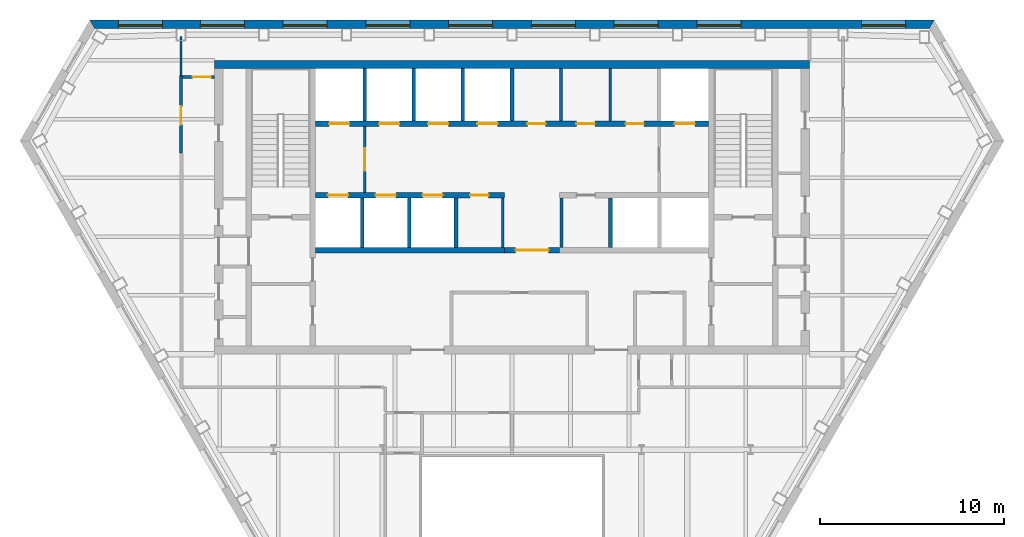
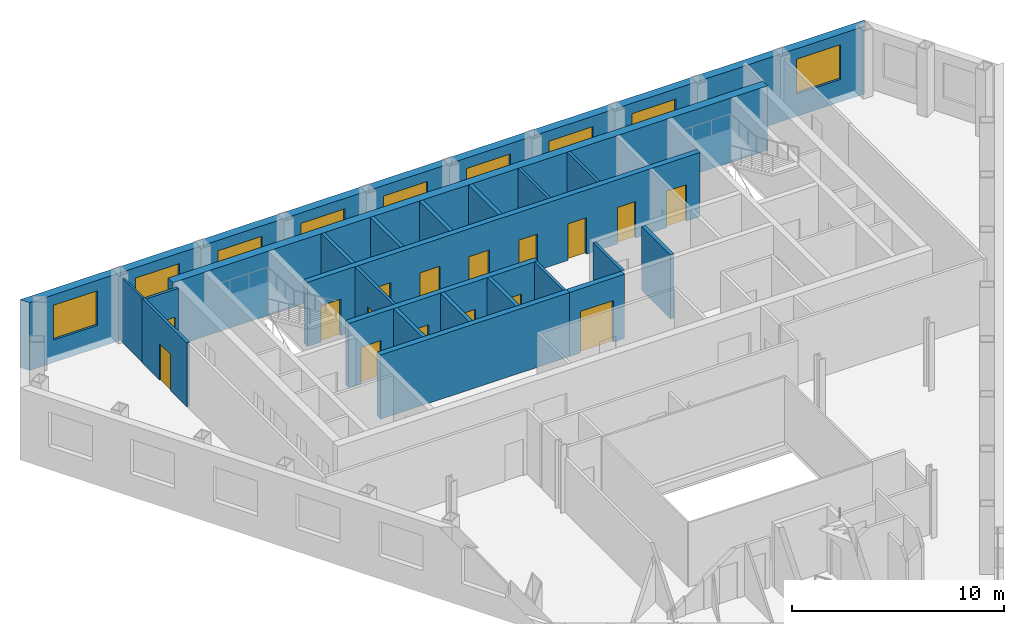
# One storey, part 6 of 10: 22 walls, 16 doors, 9 windows, 25 openings.
"""IFC4 building model written with IfcOpenShell, lengths in metres."""

from ifc_helpers import new_model, si_unit, direction, frame, frame_2d, origin, place, context, subcontext, project, spatial, polyline, rectangle, outline, extrude, material, layer, layer_set, type_object, element, fill, save


model = new_model("IFC4")

# Units and contexts
model_context = context("Model", 3, precision=1e-05, world=origin(), true_north=direction((0.0, 1.0)))
body_context = subcontext(model_context, "Body", "Model", "MODEL_VIEW")
ifc_project = project(units=[si_unit("LENGTHUNIT", "METRE"), si_unit("AREAUNIT", "SQUARE_METRE"), si_unit("VOLUMEUNIT", "CUBIC_METRE"), si_unit("PLANEANGLEUNIT", "RADIAN"), si_unit("MASSUNIT", "GRAM", prefix="KILO")], contexts=[model_context])

# Site, building, storey
site_placement = place(None, origin())
site = spatial("IfcSite", under=ifc_project, at=site_placement, CompositionType="ELEMENT")
building_placement = place(site_placement, origin())
building = spatial("IfcBuilding", under=site, at=building_placement, Name="Njiva Tower", CompositionType="ELEMENT")
storey_placement = place(building_placement, frame((0.0, 0.0, 200.4)))
storey = spatial("IfcBuildingStorey", under=building, at=storey_placement, Name="L44", CompositionType="ELEMENT", Elevation=200.4)

# Walls
ifc_material_1 = material(Name="Blockwork", Category="masonry")
ifc_layer_1 = layer(ifc_material_1, 0.15)
ifc_layer_set_1 = layer_set([ifc_layer_1], Name="Blockwork")
wall_type_1 = type_object("IfcWallType", Name="WT1 Compartment partition 150", PredefinedType="PARTITIONING", material=ifc_layer_set_1)
for number, where, z_axis, x_axis, name in (
    (1, (2.675, 14.7, 0.0), (0.0, 0.0, 1.0), (0.0, 1.0, 0.0), "Partition CN5"),
    (2, (5.35, 14.7, 0.0), (0.0, 0.0, 1.0), (0.0, 1.0, 0.0), "Partition CN6"),
):
    element("IfcWall", number, at=place(storey_placement, frame(where, z_axis=z_axis, x_axis=x_axis)), inside=storey, type_object=wall_type_1, Name=name, PredefinedType="PARTITIONING", context=body_context, shape_type="SweptSolid", body=[
        extrude(rectangle(XDim=2.85, YDim=0.15, at=frame_2d((1.425, 0.0))), origin(), (0.0, 0.0, 1.0), 3.7),
    ])
for number, where, z_axis, x_axis, name in (
    (3, (-0.5, 7.8, 0.0), (0.0, 0.0, 1.0), (0.0, 1.0, 0.0), "Partition CS4"),
    (4, (2.7, 7.8, 0.0), (0.0, 0.0, 1.0), (0.0, 1.0, 0.0), "Partition CS5"),
):
    element("IfcWall", number, at=place(storey_placement, frame(where, z_axis=z_axis, x_axis=x_axis)), inside=storey, type_object=wall_type_1, Name=name, PredefinedType="PARTITIONING", context=body_context, shape_type="SweptSolid", body=[
        extrude(rectangle(XDim=2.7, YDim=0.15, at=frame_2d((1.35, 0.0))), origin(), (0.0, 0.0, 1.0), 3.7),
    ])
ifc_material_2 = material(Name="Concrete C60/75", Category="concrete")
ifc_layer_2 = layer(ifc_material_2, 0.45)
ifc_layer_set_2 = layer_set([ifc_layer_2], Name="Concrete C60/75")
wall_type_2 = type_object("IfcWallType", Name="WT12 Core wall 450", PredefinedType="SHEAR", material=ifc_layer_set_2)
wall_1_placement = place(storey_placement, frame((-16.2, 17.775, 0.0), z_axis=(0.0, 0.0, 1.0), x_axis=(1.0, 0.0, 0.0)))
element("IfcWall", 5, at=wall_1_placement, inside=storey, type_object=wall_type_2, Name="Core wall north", PredefinedType="SHEAR", context=body_context, shape_type="SweptSolid", body=[
    extrude(rectangle(XDim=32.4, YDim=0.45, at=frame_2d((16.2, 0.0))), origin(), (0.0, 0.0, 1.0), 3.7),
])

# Wall, opening, door
ifc_layer_3 = layer(ifc_material_1, 0.15)
ifc_layer_set_3 = layer_set([ifc_layer_3], Name="Blockwork")
wall_type_3 = type_object("IfcWallType", Name="WT2 Lobby partition 150", PredefinedType="PARTITIONING", material=ifc_layer_set_3)
wall_2_placement = place(storey_placement, frame((-8.025, 10.8, 0.0), z_axis=(0.0, 0.0, 1.0), x_axis=(0.0, 1.0, 0.0)))
wall_2 = element("IfcWall", 6, at=wall_2_placement, inside=storey, type_object=wall_type_3, Name="Firefighting lobby wall A", PredefinedType="PARTITIONING", context=body_context, shape_type="SweptSolid", body=[
    extrude(rectangle(XDim=3.6, YDim=0.15, at=frame_2d((1.8, 0.0))), origin(), (0.0, 0.0, 1.0), 3.7),
])
opening_1_placement = place(wall_2_placement, frame((1.175, 0.0, 0.0)))
opening_1 = element("IfcOpeningElement", 7, at=opening_1_placement, cuts=wall_2, Name="Opening S14-D914", PredefinedType="OPENING", context=body_context, shape_type="SweptSolid", body=[
    extrude(rectangle(XDim=1.25, YDim=2.1, at=frame_2d((0.625, 1.05))), frame((0.0, 0.085, 0.0), z_axis=(0.0, -1.0, 0.0), x_axis=(1.0, 0.0, 0.0)), (0.0, 0.0, 1.0), 0.17),
])
ifc_material_3 = material(Name="Glazed steel fire door", Category="steel")
door_type_1 = type_object("IfcDoorType", Name="D8 Vestibule corridor door 1250x2100 glazed", OperationType="SINGLE_SWING_LEFT", PredefinedType="DOOR", material=ifc_material_3)
door_1_placement = place(opening_1_placement, origin())
door_1 = element("IfcDoor", 8, at=door_1_placement, inside=storey, type_object=door_type_1, Name="Stair vestibule corridor door", OperationType="SINGLE_SWING_RIGHT", OverallHeight=2.1, OverallWidth=1.25, PredefinedType="DOOR", context=body_context, shape_type="SweptSolid", body=[
    extrude(rectangle(XDim=1.25, YDim=2.1, at=frame_2d((0.625, 1.05))), frame((0.0, 0.025, 0.0), z_axis=(0.0, -1.0, 0.0), x_axis=(1.0, 0.0, 0.0)), (0.0, 0.0, 1.0), 0.05),
])
fill(opening_1, door_1)

# Wall
ifc_material_4 = material(Name="Gypsum board on steel studs", Category="gypsum")
ifc_layer_4 = layer(ifc_material_4, 0.1)
ifc_layer_set_4 = layer_set([ifc_layer_4], Name="Gypsum board on steel studs")
wall_type_4 = type_object("IfcWallType", Name="WT20 Gypsum partition 100", PredefinedType="PARTITIONING", material=ifc_layer_set_4)
wall_3_placement = place(storey_placement, frame((-18.031, 17.168, 0.0), z_axis=(0.0, 0.0, 1.0), x_axis=(0.0, 1.0, 0.0)))
element("IfcWall", 9, at=wall_3_placement, inside=storey, type_object=wall_type_4, Name="Partition S14-P002", PredefinedType="PARTITIONING", context=body_context, shape_type="SweptSolid", body=[
    extrude(rectangle(XDim=2.132, YDim=0.1, at=frame_2d((1.066, 0.0))), origin(), (0.0, 0.0, 1.0), 3.7),
])

# Wall, opening, door
ifc_layer_5 = layer(ifc_material_4, 0.15)
ifc_layer_set_5 = layer_set([ifc_layer_5], Name="Gypsum board on steel studs")
wall_type_5 = type_object("IfcWallType", Name="WT21 Compartment wall 150", PredefinedType="PARTITIONING", material=ifc_layer_set_5)
wall_4_placement = place(storey_placement, frame((-18.031, 12.943, 0.0), z_axis=(0.0, 0.0, 1.0), x_axis=(0.0, 1.0, 0.0)))
wall_4 = element("IfcWall", 10, at=wall_4_placement, inside=storey, type_object=wall_type_5, Name="Partition S14-P001", PredefinedType="PARTITIONING", context=body_context, shape_type="SweptSolid", body=[
    extrude(rectangle(XDim=4.225, YDim=0.15, at=frame_2d((2.1125, 0.0))), origin(), (0.0, 0.0, 1.0), 3.7),
])
opening_2_placement = place(wall_4_placement, frame((1.556, 0.0, 0.0)))
opening_2 = element("IfcOpeningElement", 11, at=opening_2_placement, cuts=wall_4, Name="Opening S14-D001", PredefinedType="OPENING", context=body_context, shape_type="SweptSolid", body=[
    extrude(rectangle(XDim=1.0, YDim=2.1, at=frame_2d((0.5, 1.05))), frame((0.0, 0.085, 0.0), z_axis=(0.0, -1.0, 0.0), x_axis=(1.0, 0.0, 0.0)), (0.0, 0.0, 1.0), 0.17),
])
ifc_material_5 = material(Name="Steel fire door set", Category="steel")
door_type_2 = type_object("IfcDoorType", Name="D37 Fire door 1000x2100", OperationType="SINGLE_SWING_LEFT", PredefinedType="DOOR", material=ifc_material_5)
door_2_placement = place(opening_2_placement, origin())
door_2 = element("IfcDoor", 12, at=door_2_placement, inside=storey, type_object=door_type_2, Name="Door S14-D001", OperationType="SINGLE_SWING_LEFT", OverallHeight=2.1, OverallWidth=1.0, PredefinedType="DOOR", context=body_context, shape_type="SweptSolid", body=[
    extrude(rectangle(XDim=1.0, YDim=2.1, at=frame_2d((0.5, 1.05))), frame((0.0, 0.025, 0.0), z_axis=(0.0, -1.0, 0.0), x_axis=(1.0, 0.0, 0.0)), (0.0, 0.0, 1.0), 0.05),
])
fill(opening_2, door_2)

wall_5_placement = place(storey_placement, frame((-17.956, 17.093, 0.0), z_axis=(0.0, 0.0, 1.0), x_axis=(1.0, 0.0, 0.0)))
wall_5 = element("IfcWall", 13, at=wall_5_placement, inside=storey, type_object=wall_type_5, Name="Partition S14-P004", PredefinedType="PARTITIONING", context=body_context, shape_type="SweptSolid", body=[
    extrude(rectangle(XDim=1.756, YDim=0.15, at=frame_2d((0.878, 0.0))), origin(), (0.0, 0.0, 1.0), 3.7),
])
opening_3_placement = place(wall_5_placement, frame((0.556, 0.0, 0.0)))
opening_3 = element("IfcOpeningElement", 14, at=opening_3_placement, cuts=wall_5, Name="Opening S14-D002", PredefinedType="OPENING", context=body_context, shape_type="SweptSolid", body=[
    extrude(rectangle(XDim=1.0, YDim=2.1, at=frame_2d((0.5, 1.05))), frame((0.0, 0.085, 0.0), z_axis=(0.0, -1.0, 0.0), x_axis=(1.0, 0.0, 0.0)), (0.0, 0.0, 1.0), 0.17),
])
door_3_placement = place(opening_3_placement, origin())
door_3 = element("IfcDoor", 15, at=door_3_placement, inside=storey, type_object=door_type_2, Name="Door S14-D002", OperationType="SINGLE_SWING_LEFT", OverallHeight=2.1, OverallWidth=1.0, PredefinedType="DOOR", context=body_context, shape_type="SweptSolid", body=[
    extrude(rectangle(XDim=1.0, YDim=2.1, at=frame_2d((0.5, 1.05))), frame((0.0, 0.025, 0.0), z_axis=(0.0, -1.0, 0.0), x_axis=(1.0, 0.0, 0.0)), (0.0, 0.0, 1.0), 0.05),
])
fill(opening_3, door_3)

ifc_layer_6 = layer(ifc_material_1, 0.3)
ifc_layer_set_6 = layer_set([ifc_layer_6], Name="Blockwork")
wall_type_6 = type_object("IfcWallType", Name="WT5 Lobby partition 300", PredefinedType="PARTITIONING", material=ifc_layer_set_6)
wall_6_placement = place(storey_placement, frame((-0.4, 7.65, 0.0), z_axis=(0.0, 0.0, 1.0), x_axis=(1.0, 0.0, 0.0)))
wall_6 = element("IfcWall", 16, at=wall_6_placement, inside=storey, type_object=wall_type_6, Name="Lift lobby screen wall", PredefinedType="PARTITIONING", context=body_context, shape_type="SweptSolid", body=[
    extrude(rectangle(XDim=3.0, YDim=0.3, at=frame_2d((1.5, 0.0))), origin(), (0.0, 0.0, 1.0), 3.7),
])
opening_4_placement = place(wall_6_placement, frame((0.6, 0.0, 0.0)))
opening_4 = element("IfcOpeningElement", 17, at=opening_4_placement, cuts=wall_6, Name="Opening S14-D936", PredefinedType="OPENING", context=body_context, shape_type="SweptSolid", body=[
    extrude(rectangle(XDim=1.8, YDim=2.4, at=frame_2d((0.9, 1.2))), frame((0.0, 0.16, 0.0), z_axis=(0.0, -1.0, 0.0), x_axis=(1.0, 0.0, 0.0)), (0.0, 0.0, 1.0), 0.32),
])
ifc_material_6 = material(Name="Steel and glass door", Category="steel")
door_type_3 = type_object("IfcDoorType", Name="D3 Core entrance door 1800x2400", OperationType="DOUBLE_DOOR_SINGLE_SWING", PredefinedType="DOOR", material=ifc_material_6)
door_4_placement = place(opening_4_placement, origin())
door_4 = element("IfcDoor", 18, at=door_4_placement, inside=storey, type_object=door_type_3, Name="Core entrance door", OperationType="DOUBLE_DOOR_SINGLE_SWING", OverallHeight=2.4, OverallWidth=1.8, PredefinedType="DOOR", context=body_context, shape_type="SweptSolid", body=[
    extrude(rectangle(XDim=1.8, YDim=2.4, at=frame_2d((0.9, 1.2))), frame((0.0, 0.025, 0.0), z_axis=(0.0, -1.0, 0.0), x_axis=(1.0, 0.0, 0.0)), (0.0, 0.0, 1.0), 0.05),
])
fill(opening_4, door_4)

# Walls
ifc_material_7 = material(Name="Concrete C40/50", Category="concrete")
ifc_layer_7 = layer(ifc_material_7, 0.2)
ifc_layer_set_7 = layer_set([ifc_layer_7], Name="Concrete C40/50")
wall_type_7 = type_object("IfcWallType", Name="WT6 Lift shaft wall 200", PredefinedType="SHEAR", material=ifc_layer_set_7)
for number, where, z_axis, x_axis, name in (
    (19, (-8.025, 14.7, 0.0), (0.0, 0.0, 1.0), (0.0, 1.0, 0.0), "Shaft wall CN1"),
    (20, (-5.35, 14.7, 0.0), (0.0, 0.0, 1.0), (0.0, 1.0, 0.0), "Shaft wall CN2"),
    (21, (-2.675, 14.7, 0.0), (0.0, 0.0, 1.0), (0.0, 1.0, 0.0), "Shaft wall CN3"),
    (22, (0.0, 14.7, 0.0), (0.0, 0.0, 1.0), (0.0, 1.0, 0.0), "Shaft wall CN4"),
):
    element("IfcWall", number, at=place(storey_placement, frame(where, z_axis=z_axis, x_axis=x_axis)), inside=storey, type_object=wall_type_7, Name=name, PredefinedType="SHEAR", context=body_context, shape_type="SweptSolid", body=[
        extrude(rectangle(XDim=2.85, YDim=0.2, at=frame_2d((1.425, 0.0))), origin(), (0.0, 0.0, 1.0), 3.7),
    ])
for number, where, z_axis, x_axis, name in (
    (23, (-8.15, 7.8, 0.0), (0.0, 0.0, 1.0), (0.0, 1.0, 0.0), "Shaft wall CS1"),
    (24, (-5.6, 7.8, 0.0), (0.0, 0.0, 1.0), (0.0, 1.0, 0.0), "Shaft wall CS2"),
    (25, (-3.05, 7.8, 0.0), (0.0, 0.0, 1.0), (0.0, 1.0, 0.0), "Shaft wall CS3"),
    (26, (5.3667, 7.8, 0.0), (0.0, 0.0, 1.0), (0.0, 1.0, 0.0), "Shaft wall CS6"),
):
    element("IfcWall", number, at=place(storey_placement, frame(where, z_axis=z_axis, x_axis=x_axis)), inside=storey, type_object=wall_type_7, Name=name, PredefinedType="SHEAR", context=body_context, shape_type="SweptSolid", body=[
        extrude(rectangle(XDim=2.7, YDim=0.2, at=frame_2d((1.35, 0.0))), origin(), (0.0, 0.0, 1.0), 3.7),
    ])

# Wall, openings, doors
ifc_layer_8 = layer(ifc_material_7, 0.3)
ifc_layer_set_8 = layer_set([ifc_layer_8], Name="Concrete C40/50")
wall_type_8 = type_object("IfcWallType", Name="WT7 Lift shaft wall 300", PredefinedType="SHEAR", material=ifc_layer_set_8)
wall_7_placement = place(storey_placement, frame((-10.7, 14.55, 0.0), z_axis=(0.0, 0.0, 1.0), x_axis=(1.0, 0.0, 0.0)))
wall_7 = element("IfcWall", 27, at=wall_7_placement, inside=storey, type_object=wall_type_8, Name="Shaft wall north row lobby side", PredefinedType="SHEAR", context=body_context, shape_type="SweptSolid", body=[
    extrude(rectangle(XDim=21.4, YDim=0.3, at=frame_2d((10.7, 0.0))), origin(), (0.0, 0.0, 1.0), 3.7),
])
opening_5_placement = place(wall_7_placement, frame((0.7375, 0.0, 0.0)))
opening_5 = element("IfcOpeningElement", 28, at=opening_5_placement, cuts=wall_7, Name="Opening S14-D901", PredefinedType="OPENING", context=body_context, shape_type="SweptSolid", body=[
    extrude(rectangle(XDim=1.1, YDim=2.1, at=frame_2d((0.55, 1.05))), frame((0.0, 0.16, 0.0), z_axis=(0.0, -1.0, 0.0), x_axis=(1.0, 0.0, 0.0)), (0.0, 0.0, 1.0), 0.32),
])
opening_6_placement = place(wall_7_placement, frame((3.4625, 0.0, 0.0)))
opening_6 = element("IfcOpeningElement", 29, at=opening_6_placement, cuts=wall_7, Name="Opening S14-D902", PredefinedType="OPENING", context=body_context, shape_type="SweptSolid", body=[
    extrude(rectangle(XDim=1.1, YDim=2.1, at=frame_2d((0.55, 1.05))), frame((0.0, 0.16, 0.0), z_axis=(0.0, -1.0, 0.0), x_axis=(1.0, 0.0, 0.0)), (0.0, 0.0, 1.0), 0.32),
])
opening_7_placement = place(wall_7_placement, frame((6.1375, 0.0, 0.0)))
opening_7 = element("IfcOpeningElement", 30, at=opening_7_placement, cuts=wall_7, Name="Opening S14-D903", PredefinedType="OPENING", context=body_context, shape_type="SweptSolid", body=[
    extrude(rectangle(XDim=1.1, YDim=2.1, at=frame_2d((0.55, 1.05))), frame((0.0, 0.16, 0.0), z_axis=(0.0, -1.0, 0.0), x_axis=(1.0, 0.0, 0.0)), (0.0, 0.0, 1.0), 0.32),
])
opening_8_placement = place(wall_7_placement, frame((8.8125, 0.0, 0.0)))
opening_8 = element("IfcOpeningElement", 31, at=opening_8_placement, cuts=wall_7, Name="Opening S14-D904", PredefinedType="OPENING", context=body_context, shape_type="SweptSolid", body=[
    extrude(rectangle(XDim=1.1, YDim=2.1, at=frame_2d((0.55, 1.05))), frame((0.0, 0.16, 0.0), z_axis=(0.0, -1.0, 0.0), x_axis=(1.0, 0.0, 0.0)), (0.0, 0.0, 1.0), 0.32),
])
opening_9_placement = place(wall_7_placement, frame((19.5625, 0.0, 0.0)))
opening_9 = element("IfcOpeningElement", 32, at=opening_9_placement, cuts=wall_7, Name="Opening S14-D905", PredefinedType="OPENING", context=body_context, shape_type="SweptSolid", body=[
    extrude(rectangle(XDim=1.1, YDim=2.1, at=frame_2d((0.55, 1.05))), frame((0.0, 0.16, 0.0), z_axis=(0.0, -1.0, 0.0), x_axis=(1.0, 0.0, 0.0)), (0.0, 0.0, 1.0), 0.32),
])
opening_10_placement = place(wall_7_placement, frame((11.5375, 0.0, 0.0)))
opening_10 = element("IfcOpeningElement", 33, at=opening_10_placement, cuts=wall_7, Name="Opening S14-D909", PredefinedType="OPENING", context=body_context, shape_type="SweptSolid", body=[
    extrude(rectangle(XDim=1.0, YDim=2.1, at=frame_2d((0.5, 1.05))), frame((0.0, 0.16, 0.0), z_axis=(0.0, -1.0, 0.0), x_axis=(1.0, 0.0, 0.0)), (0.0, 0.0, 1.0), 0.32),
])
opening_11_placement = place(wall_7_placement, frame((14.2125, 0.0, 0.0)))
opening_11 = element("IfcOpeningElement", 34, at=opening_11_placement, cuts=wall_7, Name="Opening S14-D910", PredefinedType="OPENING", context=body_context, shape_type="SweptSolid", body=[
    extrude(rectangle(XDim=1.0, YDim=2.1, at=frame_2d((0.5, 1.05))), frame((0.0, 0.16, 0.0), z_axis=(0.0, -1.0, 0.0), x_axis=(1.0, 0.0, 0.0)), (0.0, 0.0, 1.0), 0.32),
])
opening_12_placement = place(wall_7_placement, frame((16.8875, 0.0, 0.0)))
opening_12 = element("IfcOpeningElement", 35, at=opening_12_placement, cuts=wall_7, Name="Opening S14-D911", PredefinedType="OPENING", context=body_context, shape_type="SweptSolid", body=[
    extrude(rectangle(XDim=1.0, YDim=2.1, at=frame_2d((0.5, 1.05))), frame((0.0, 0.16, 0.0), z_axis=(0.0, -1.0, 0.0), x_axis=(1.0, 0.0, 0.0)), (0.0, 0.0, 1.0), 0.32),
])
ifc_material_8 = material(Name="Steel door, painted", Category="steel")
door_type_4 = type_object("IfcDoorType", Name="D5 Steel door 1000x2100", OperationType="SINGLE_SWING_LEFT", PredefinedType="DOOR", material=ifc_material_8)
door_5_placement = place(opening_10_placement, origin())
door_5 = element("IfcDoor", 36, at=door_5_placement, inside=storey, type_object=door_type_4, Name="First aid room door", OperationType="SINGLE_SWING_LEFT", OverallHeight=2.1, OverallWidth=1.0, PredefinedType="DOOR", context=body_context, shape_type="SweptSolid", body=[
    extrude(rectangle(XDim=1.0, YDim=2.1, at=frame_2d((0.5, 1.05))), frame((0.0, 0.025, 0.0), z_axis=(0.0, -1.0, 0.0), x_axis=(1.0, 0.0, 0.0)), (0.0, 0.0, 1.0), 0.05),
])
fill(opening_10, door_5)
door_6_placement = place(opening_11_placement, origin())
door_6 = element("IfcDoor", 37, at=door_6_placement, inside=storey, type_object=door_type_4, Name="Breakout room door", OperationType="SINGLE_SWING_LEFT", OverallHeight=2.1, OverallWidth=1.0, PredefinedType="DOOR", context=body_context, shape_type="SweptSolid", body=[
    extrude(rectangle(XDim=1.0, YDim=2.1, at=frame_2d((0.5, 1.05))), frame((0.0, 0.025, 0.0), z_axis=(0.0, -1.0, 0.0), x_axis=(1.0, 0.0, 0.0)), (0.0, 0.0, 1.0), 0.05),
])
fill(opening_11, door_6)
door_7_placement = place(opening_12_placement, origin())
door_7 = element("IfcDoor", 38, at=door_7_placement, inside=storey, type_object=door_type_4, Name="Reading room door", OperationType="SINGLE_SWING_LEFT", OverallHeight=2.1, OverallWidth=1.0, PredefinedType="DOOR", context=body_context, shape_type="SweptSolid", body=[
    extrude(rectangle(XDim=1.0, YDim=2.1, at=frame_2d((0.5, 1.05))), frame((0.0, 0.025, 0.0), z_axis=(0.0, -1.0, 0.0), x_axis=(1.0, 0.0, 0.0)), (0.0, 0.0, 1.0), 0.05),
])
fill(opening_12, door_7)
ifc_material_9 = material(Name="Stainless steel sliding door", Category="steel")
door_type_5 = type_object("IfcDoorType", Name="LD Lift landing door 1100x2100", OperationType="SLIDING_TO_LEFT", PredefinedType="DOOR", material=ifc_material_9)
door_8_placement = place(opening_5_placement, origin())
door_8 = element("IfcDoor", 39, at=door_8_placement, inside=storey, type_object=door_type_5, Name="Lift landing door FF1", OperationType="SLIDING_TO_LEFT", OverallHeight=2.1, OverallWidth=1.1, PredefinedType="DOOR", context=body_context, shape_type="SweptSolid", body=[
    extrude(rectangle(XDim=1.1, YDim=2.1, at=frame_2d((0.55, 1.05))), frame((0.0, 0.025, 0.0), z_axis=(0.0, -1.0, 0.0), x_axis=(1.0, 0.0, 0.0)), (0.0, 0.0, 1.0), 0.05),
])
fill(opening_5, door_8)
door_9_placement = place(opening_6_placement, origin())
door_9 = element("IfcDoor", 40, at=door_9_placement, inside=storey, type_object=door_type_5, Name="Lift landing door MB4", OperationType="SLIDING_TO_LEFT", OverallHeight=2.1, OverallWidth=1.1, PredefinedType="DOOR", context=body_context, shape_type="SweptSolid", body=[
    extrude(rectangle(XDim=1.1, YDim=2.1, at=frame_2d((0.55, 1.05))), frame((0.0, 0.025, 0.0), z_axis=(0.0, -1.0, 0.0), x_axis=(1.0, 0.0, 0.0)), (0.0, 0.0, 1.0), 0.05),
])
fill(opening_6, door_9)
door_10_placement = place(opening_7_placement, origin())
door_10 = element("IfcDoor", 41, at=door_10_placement, inside=storey, type_object=door_type_5, Name="Lift landing door MB5", OperationType="SLIDING_TO_LEFT", OverallHeight=2.1, OverallWidth=1.1, PredefinedType="DOOR", context=body_context, shape_type="SweptSolid", body=[
    extrude(rectangle(XDim=1.1, YDim=2.1, at=frame_2d((0.55, 1.05))), frame((0.0, 0.025, 0.0), z_axis=(0.0, -1.0, 0.0), x_axis=(1.0, 0.0, 0.0)), (0.0, 0.0, 1.0), 0.05),
])
fill(opening_7, door_10)
door_11_placement = place(opening_8_placement, origin())
door_11 = element("IfcDoor", 42, at=door_11_placement, inside=storey, type_object=door_type_5, Name="Lift landing door MB6", OperationType="SLIDING_TO_LEFT", OverallHeight=2.1, OverallWidth=1.1, PredefinedType="DOOR", context=body_context, shape_type="SweptSolid", body=[
    extrude(rectangle(XDim=1.1, YDim=2.1, at=frame_2d((0.55, 1.05))), frame((0.0, 0.025, 0.0), z_axis=(0.0, -1.0, 0.0), x_axis=(1.0, 0.0, 0.0)), (0.0, 0.0, 1.0), 0.05),
])
fill(opening_8, door_11)
door_12_placement = place(opening_9_placement, origin())
door_12 = element("IfcDoor", 43, at=door_12_placement, inside=storey, type_object=door_type_5, Name="Lift landing door FF2", OperationType="SLIDING_TO_LEFT", OverallHeight=2.1, OverallWidth=1.1, PredefinedType="DOOR", context=body_context, shape_type="SweptSolid", body=[
    extrude(rectangle(XDim=1.1, YDim=2.1, at=frame_2d((0.55, 1.05))), frame((0.0, 0.025, 0.0), z_axis=(0.0, -1.0, 0.0), x_axis=(1.0, 0.0, 0.0)), (0.0, 0.0, 1.0), 0.05),
])
fill(opening_9, door_12)

wall_8_placement = place(storey_placement, frame((-10.7, 10.65, 0.0), z_axis=(0.0, 0.0, 1.0), x_axis=(1.0, 0.0, 0.0)))
wall_8 = element("IfcWall", 44, at=wall_8_placement, inside=storey, type_object=wall_type_8, Name="Shaft wall south row lobby side W", PredefinedType="SHEAR", context=body_context, shape_type="SweptSolid", body=[
    extrude(rectangle(XDim=10.3, YDim=0.3, at=frame_2d((5.15, 0.0))), origin(), (0.0, 0.0, 1.0), 3.7),
])
opening_13_placement = place(wall_8_placement, frame((0.675, 0.0, 0.0)))
opening_13 = element("IfcOpeningElement", 45, at=opening_13_placement, cuts=wall_8, Name="Opening S14-D906", PredefinedType="OPENING", context=body_context, shape_type="SweptSolid", body=[
    extrude(rectangle(XDim=1.1, YDim=2.1, at=frame_2d((0.55, 1.05))), frame((0.0, 0.16, 0.0), z_axis=(0.0, -1.0, 0.0), x_axis=(1.0, 0.0, 0.0)), (0.0, 0.0, 1.0), 0.32),
])
opening_14_placement = place(wall_8_placement, frame((3.275, 0.0, 0.0)))
opening_14 = element("IfcOpeningElement", 46, at=opening_14_placement, cuts=wall_8, Name="Opening S14-D907", PredefinedType="OPENING", context=body_context, shape_type="SweptSolid", body=[
    extrude(rectangle(XDim=1.1, YDim=2.1, at=frame_2d((0.55, 1.05))), frame((0.0, 0.16, 0.0), z_axis=(0.0, -1.0, 0.0), x_axis=(1.0, 0.0, 0.0)), (0.0, 0.0, 1.0), 0.32),
])
opening_15_placement = place(wall_8_placement, frame((5.825, 0.0, 0.0)))
opening_15 = element("IfcOpeningElement", 47, at=opening_15_placement, cuts=wall_8, Name="Opening S14-D908", PredefinedType="OPENING", context=body_context, shape_type="SweptSolid", body=[
    extrude(rectangle(XDim=1.1, YDim=2.1, at=frame_2d((0.55, 1.05))), frame((0.0, 0.16, 0.0), z_axis=(0.0, -1.0, 0.0), x_axis=(1.0, 0.0, 0.0)), (0.0, 0.0, 1.0), 0.32),
])
opening_16_placement = place(wall_8_placement, frame((8.425, 0.0, 0.0)))
opening_16 = element("IfcOpeningElement", 48, at=opening_16_placement, cuts=wall_8, Name="Opening S14-D912", PredefinedType="OPENING", context=body_context, shape_type="SweptSolid", body=[
    extrude(rectangle(XDim=1.0, YDim=2.1, at=frame_2d((0.5, 1.05))), frame((0.0, 0.16, 0.0), z_axis=(0.0, -1.0, 0.0), x_axis=(1.0, 0.0, 0.0)), (0.0, 0.0, 1.0), 0.32),
])
door_13_placement = place(opening_16_placement, origin())
door_13 = element("IfcDoor", 49, at=door_13_placement, inside=storey, type_object=door_type_4, Name="Quiet room door", OperationType="SINGLE_SWING_RIGHT", OverallHeight=2.1, OverallWidth=1.0, PredefinedType="DOOR", context=body_context, shape_type="SweptSolid", body=[
    extrude(rectangle(XDim=1.0, YDim=2.1, at=frame_2d((0.5, 1.05))), frame((0.0, 0.025, 0.0), z_axis=(0.0, -1.0, 0.0), x_axis=(1.0, 0.0, 0.0)), (0.0, 0.0, 1.0), 0.05),
])
fill(opening_16, door_13)
door_14_placement = place(opening_13_placement, origin())
door_14 = element("IfcDoor", 50, at=door_14_placement, inside=storey, type_object=door_type_5, Name="Lift landing door MB1", OperationType="SLIDING_TO_LEFT", OverallHeight=2.1, OverallWidth=1.1, PredefinedType="DOOR", context=body_context, shape_type="SweptSolid", body=[
    extrude(rectangle(XDim=1.1, YDim=2.1, at=frame_2d((0.55, 1.05))), frame((0.0, 0.025, 0.0), z_axis=(0.0, -1.0, 0.0), x_axis=(1.0, 0.0, 0.0)), (0.0, 0.0, 1.0), 0.05),
])
fill(opening_13, door_14)
door_15_placement = place(opening_14_placement, origin())
door_15 = element("IfcDoor", 51, at=door_15_placement, inside=storey, type_object=door_type_5, Name="Lift landing door MB2", OperationType="SLIDING_TO_LEFT", OverallHeight=2.1, OverallWidth=1.1, PredefinedType="DOOR", context=body_context, shape_type="SweptSolid", body=[
    extrude(rectangle(XDim=1.1, YDim=2.1, at=frame_2d((0.55, 1.05))), frame((0.0, 0.025, 0.0), z_axis=(0.0, -1.0, 0.0), x_axis=(1.0, 0.0, 0.0)), (0.0, 0.0, 1.0), 0.05),
])
fill(opening_14, door_15)
door_16_placement = place(opening_15_placement, origin())
door_16 = element("IfcDoor", 52, at=door_16_placement, inside=storey, type_object=door_type_5, Name="Lift landing door MB3", OperationType="SLIDING_TO_LEFT", OverallHeight=2.1, OverallWidth=1.1, PredefinedType="DOOR", context=body_context, shape_type="SweptSolid", body=[
    extrude(rectangle(XDim=1.1, YDim=2.1, at=frame_2d((0.55, 1.05))), frame((0.0, 0.025, 0.0), z_axis=(0.0, -1.0, 0.0), x_axis=(1.0, 0.0, 0.0)), (0.0, 0.0, 1.0), 0.05),
])
fill(opening_15, door_16)

# Wall
wall_9_placement = place(storey_placement, frame((-10.7, 7.65, 0.0), z_axis=(0.0, 0.0, 1.0), x_axis=(1.0, 0.0, 0.0)))
element("IfcWall", 53, at=wall_9_placement, inside=storey, type_object=wall_type_8, Name="Shaft wall south row back W", PredefinedType="SHEAR", context=body_context, shape_type="SweptSolid", body=[
    extrude(rectangle(XDim=10.3, YDim=0.3, at=frame_2d((5.15, 0.0))), origin(), (0.0, 0.0, 1.0), 3.7),
])

# Wall, openings, windows
ifc_material_10 = material(Name="Brick masonry", Category="masonry")
ifc_layer_9 = layer(ifc_material_10, 0.45)
ifc_layer_set_9 = layer_set([ifc_layer_9], Name="Brick masonry")
wall_type_9 = type_object("IfcWallType", Name="WT90 Brick pier and spandrel wall 450", PredefinedType="SOLIDWALL", material=ifc_layer_set_9)
wall_10_placement = place(storey_placement, frame((22.8701, 19.975, -0.4), z_axis=(0.0, 0.0, 1.0), x_axis=(-1.0, 0.0, 0.0)))
wall_10 = element("IfcWall", 54, at=wall_10_placement, inside=storey, type_object=wall_type_9, Name="Facade wall N", PredefinedType="SOLIDWALL", context=body_context, shape_type="SweptSolid", body=[
    extrude(outline(polyline([(-0.1299, -0.225), (45.8701, -0.225), (45.6103, 0.225), (0.1299, 0.225), (-0.1299, -0.225)])), origin(), (0.0, 0.0, 1.0), 3.9),
])
opening_17_placement = place(wall_10_placement, frame((1.4242, 0.0, 1.3)))
opening_17 = element("IfcOpeningElement", 55, at=opening_17_placement, cuts=wall_10, Name="Opening S14-W01", PredefinedType="OPENING", context=body_context, shape_type="SweptSolid", body=[
    extrude(rectangle(XDim=2.4, YDim=2.0, at=frame_2d((1.2, 1.0))), frame((0.0, 0.235, 0.0), z_axis=(0.0, -1.0, 0.0), x_axis=(1.0, 0.0, 0.0)), (0.0, 0.0, 1.0), 0.47),
])
opening_18_placement = place(wall_10_placement, frame((10.401, 0.0, 1.3)))
opening_18 = element("IfcOpeningElement", 56, at=opening_18_placement, cuts=wall_10, Name="Opening S14-W02", PredefinedType="OPENING", context=body_context, shape_type="SweptSolid", body=[
    extrude(rectangle(XDim=2.4, YDim=2.0, at=frame_2d((1.2, 1.0))), frame((0.0, 0.235, 0.0), z_axis=(0.0, -1.0, 0.0), x_axis=(1.0, 0.0, 0.0)), (0.0, 0.0, 1.0), 0.47),
])
opening_19_placement = place(wall_10_placement, frame((14.9087, 0.0, 1.3)))
opening_19 = element("IfcOpeningElement", 57, at=opening_19_placement, cuts=wall_10, Name="Opening S14-W03", PredefinedType="OPENING", context=body_context, shape_type="SweptSolid", body=[
    extrude(rectangle(XDim=2.4, YDim=2.0, at=frame_2d((1.2, 1.0))), frame((0.0, 0.235, 0.0), z_axis=(0.0, -1.0, 0.0), x_axis=(1.0, 0.0, 0.0)), (0.0, 0.0, 1.0), 0.47),
])
opening_20_placement = place(wall_10_placement, frame((19.4163, 0.0, 1.3)))
opening_20 = element("IfcOpeningElement", 58, at=opening_20_placement, cuts=wall_10, Name="Opening S14-W04", PredefinedType="OPENING", context=body_context, shape_type="SweptSolid", body=[
    extrude(rectangle(XDim=2.4, YDim=2.0, at=frame_2d((1.2, 1.0))), frame((0.0, 0.235, 0.0), z_axis=(0.0, -1.0, 0.0), x_axis=(1.0, 0.0, 0.0)), (0.0, 0.0, 1.0), 0.47),
])
opening_21_placement = place(wall_10_placement, frame((23.9239, 0.0, 1.3)))
opening_21 = element("IfcOpeningElement", 59, at=opening_21_placement, cuts=wall_10, Name="Opening S14-W05", PredefinedType="OPENING", context=body_context, shape_type="SweptSolid", body=[
    extrude(rectangle(XDim=2.4, YDim=2.0, at=frame_2d((1.2, 1.0))), frame((0.0, 0.235, 0.0), z_axis=(0.0, -1.0, 0.0), x_axis=(1.0, 0.0, 0.0)), (0.0, 0.0, 1.0), 0.47),
])
opening_22_placement = place(wall_10_placement, frame((28.4315, 0.0, 1.3)))
opening_22 = element("IfcOpeningElement", 60, at=opening_22_placement, cuts=wall_10, Name="Opening S14-W06", PredefinedType="OPENING", context=body_context, shape_type="SweptSolid", body=[
    extrude(rectangle(XDim=2.4, YDim=2.0, at=frame_2d((1.2, 1.0))), frame((0.0, 0.235, 0.0), z_axis=(0.0, -1.0, 0.0), x_axis=(1.0, 0.0, 0.0)), (0.0, 0.0, 1.0), 0.47),
])
opening_23_placement = place(wall_10_placement, frame((32.9391, 0.0, 1.3)))
opening_23 = element("IfcOpeningElement", 61, at=opening_23_placement, cuts=wall_10, Name="Opening S14-W07", PredefinedType="OPENING", context=body_context, shape_type="SweptSolid", body=[
    extrude(rectangle(XDim=2.4, YDim=2.0, at=frame_2d((1.2, 1.0))), frame((0.0, 0.235, 0.0), z_axis=(0.0, -1.0, 0.0), x_axis=(1.0, 0.0, 0.0)), (0.0, 0.0, 1.0), 0.47),
])
opening_24_placement = place(wall_10_placement, frame((37.4468, 0.0, 1.3)))
opening_24 = element("IfcOpeningElement", 62, at=opening_24_placement, cuts=wall_10, Name="Opening S14-W08", PredefinedType="OPENING", context=body_context, shape_type="SweptSolid", body=[
    extrude(rectangle(XDim=2.4, YDim=2.0, at=frame_2d((1.2, 1.0))), frame((0.0, 0.235, 0.0), z_axis=(0.0, -1.0, 0.0), x_axis=(1.0, 0.0, 0.0)), (0.0, 0.0, 1.0), 0.47),
])
opening_25_placement = place(wall_10_placement, frame((41.916, 0.0, 1.3)))
opening_25 = element("IfcOpeningElement", 63, at=opening_25_placement, cuts=wall_10, Name="Opening S14-W09", PredefinedType="OPENING", context=body_context, shape_type="SweptSolid", body=[
    extrude(rectangle(XDim=2.4, YDim=2.0, at=frame_2d((1.2, 1.0))), frame((0.0, 0.235, 0.0), z_axis=(0.0, -1.0, 0.0), x_axis=(1.0, 0.0, 0.0)), (0.0, 0.0, 1.0), 0.47),
])
ifc_material_11 = material(Name="Clear glazing in aluminium frame", Category="aluminium")
window_type = type_object("IfcWindowType", Name="W90 Deep-set window 2400x2000", PartitioningType="SINGLE_PANEL", PredefinedType="WINDOW", material=ifc_material_11)
window_1_placement = place(opening_17_placement, origin())
window_1 = element("IfcWindow", 64, at=window_1_placement, inside=storey, type_object=window_type, Name="Window", OverallHeight=2.0, OverallWidth=2.4, PartitioningType="SINGLE_PANEL", PredefinedType="WINDOW", context=body_context, shape_type="SweptSolid", body=[
    extrude(rectangle(XDim=2.4, YDim=2.0, at=frame_2d((1.2, 1.0))), frame((0.0, 0.105, 0.0), z_axis=(0.0, -1.0, 0.0), x_axis=(1.0, 0.0, 0.0)), (0.0, 0.0, 1.0), 0.06),
])
fill(opening_17, window_1)
window_2_placement = place(opening_18_placement, origin())
window_2 = element("IfcWindow", 65, at=window_2_placement, inside=storey, type_object=window_type, Name="Window", OverallHeight=2.0, OverallWidth=2.4, PartitioningType="SINGLE_PANEL", PredefinedType="WINDOW", context=body_context, shape_type="SweptSolid", body=[
    extrude(rectangle(XDim=2.4, YDim=2.0, at=frame_2d((1.2, 1.0))), frame((0.0, 0.105, 0.0), z_axis=(0.0, -1.0, 0.0), x_axis=(1.0, 0.0, 0.0)), (0.0, 0.0, 1.0), 0.06),
])
fill(opening_18, window_2)
window_3_placement = place(opening_19_placement, origin())
window_3 = element("IfcWindow", 66, at=window_3_placement, inside=storey, type_object=window_type, Name="Window", OverallHeight=2.0, OverallWidth=2.4, PartitioningType="SINGLE_PANEL", PredefinedType="WINDOW", context=body_context, shape_type="SweptSolid", body=[
    extrude(rectangle(XDim=2.4, YDim=2.0, at=frame_2d((1.2, 1.0))), frame((0.0, 0.105, 0.0), z_axis=(0.0, -1.0, 0.0), x_axis=(1.0, 0.0, 0.0)), (0.0, 0.0, 1.0), 0.06),
])
fill(opening_19, window_3)
window_4_placement = place(opening_20_placement, origin())
window_4 = element("IfcWindow", 67, at=window_4_placement, inside=storey, type_object=window_type, Name="Window", OverallHeight=2.0, OverallWidth=2.4, PartitioningType="SINGLE_PANEL", PredefinedType="WINDOW", context=body_context, shape_type="SweptSolid", body=[
    extrude(rectangle(XDim=2.4, YDim=2.0, at=frame_2d((1.2, 1.0))), frame((0.0, 0.105, 0.0), z_axis=(0.0, -1.0, 0.0), x_axis=(1.0, 0.0, 0.0)), (0.0, 0.0, 1.0), 0.06),
])
fill(opening_20, window_4)
window_5_placement = place(opening_21_placement, origin())
window_5 = element("IfcWindow", 68, at=window_5_placement, inside=storey, type_object=window_type, Name="Window", OverallHeight=2.0, OverallWidth=2.4, PartitioningType="SINGLE_PANEL", PredefinedType="WINDOW", context=body_context, shape_type="SweptSolid", body=[
    extrude(rectangle(XDim=2.4, YDim=2.0, at=frame_2d((1.2, 1.0))), frame((0.0, 0.105, 0.0), z_axis=(0.0, -1.0, 0.0), x_axis=(1.0, 0.0, 0.0)), (0.0, 0.0, 1.0), 0.06),
])
fill(opening_21, window_5)
window_6_placement = place(opening_22_placement, origin())
window_6 = element("IfcWindow", 69, at=window_6_placement, inside=storey, type_object=window_type, Name="Window", OverallHeight=2.0, OverallWidth=2.4, PartitioningType="SINGLE_PANEL", PredefinedType="WINDOW", context=body_context, shape_type="SweptSolid", body=[
    extrude(rectangle(XDim=2.4, YDim=2.0, at=frame_2d((1.2, 1.0))), frame((0.0, 0.105, 0.0), z_axis=(0.0, -1.0, 0.0), x_axis=(1.0, 0.0, 0.0)), (0.0, 0.0, 1.0), 0.06),
])
fill(opening_22, window_6)
window_7_placement = place(opening_23_placement, origin())
window_7 = element("IfcWindow", 70, at=window_7_placement, inside=storey, type_object=window_type, Name="Window", OverallHeight=2.0, OverallWidth=2.4, PartitioningType="SINGLE_PANEL", PredefinedType="WINDOW", context=body_context, shape_type="SweptSolid", body=[
    extrude(rectangle(XDim=2.4, YDim=2.0, at=frame_2d((1.2, 1.0))), frame((0.0, 0.105, 0.0), z_axis=(0.0, -1.0, 0.0), x_axis=(1.0, 0.0, 0.0)), (0.0, 0.0, 1.0), 0.06),
])
fill(opening_23, window_7)
window_8_placement = place(opening_24_placement, origin())
window_8 = element("IfcWindow", 71, at=window_8_placement, inside=storey, type_object=window_type, Name="Window", OverallHeight=2.0, OverallWidth=2.4, PartitioningType="SINGLE_PANEL", PredefinedType="WINDOW", context=body_context, shape_type="SweptSolid", body=[
    extrude(rectangle(XDim=2.4, YDim=2.0, at=frame_2d((1.2, 1.0))), frame((0.0, 0.105, 0.0), z_axis=(0.0, -1.0, 0.0), x_axis=(1.0, 0.0, 0.0)), (0.0, 0.0, 1.0), 0.06),
])
fill(opening_24, window_8)
window_9_placement = place(opening_25_placement, origin())
window_9 = element("IfcWindow", 72, at=window_9_placement, inside=storey, type_object=window_type, Name="Window", OverallHeight=2.0, OverallWidth=2.4, PartitioningType="SINGLE_PANEL", PredefinedType="WINDOW", context=body_context, shape_type="SweptSolid", body=[
    extrude(rectangle(XDim=2.4, YDim=2.0, at=frame_2d((1.2, 1.0))), frame((0.0, 0.105, 0.0), z_axis=(0.0, -1.0, 0.0), x_axis=(1.0, 0.0, 0.0)), (0.0, 0.0, 1.0), 0.06),
])
fill(opening_25, window_9)

save(model, "model.ifc")
